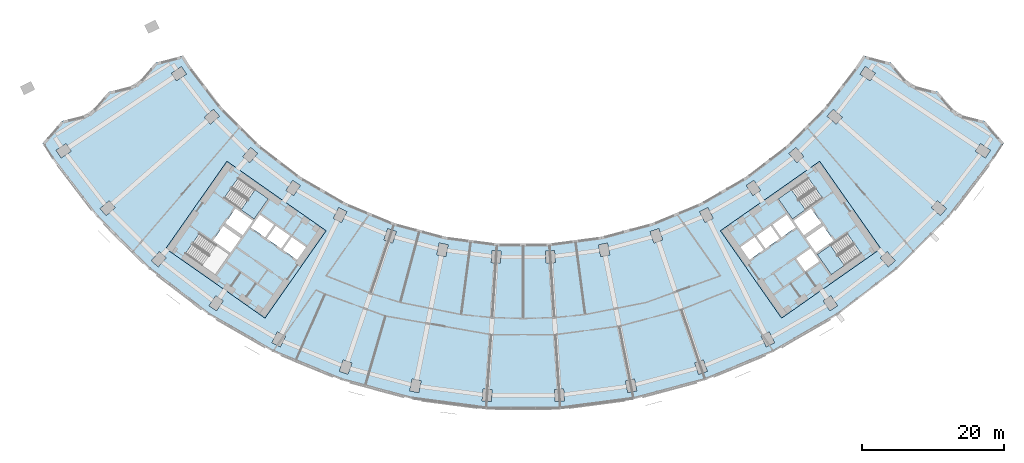
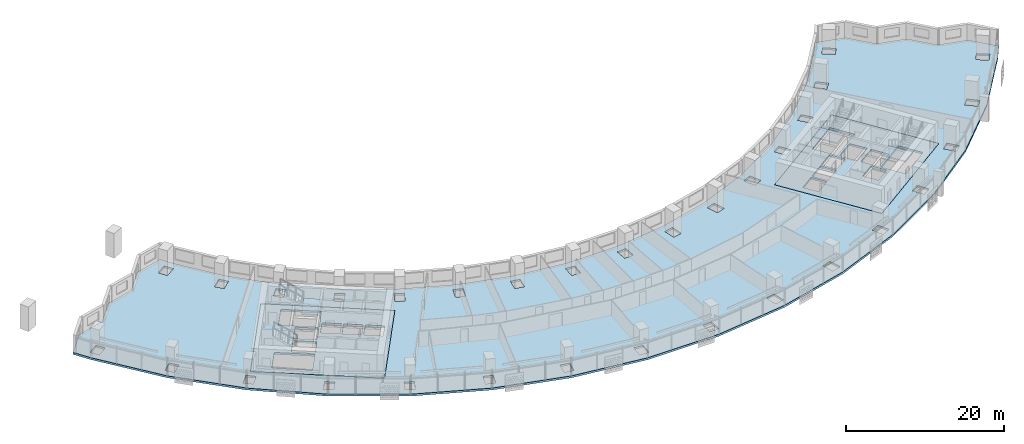
# One storey, part 2 of 31: 6 slabs, 3 elements without a shape of their own.
"""IFC4 building model written with IfcOpenShell, lengths in metres."""

from ifc_helpers import new_model, si_unit, direction, frame, origin, place, context, subcontext, project, spatial, polyline, outline, extrude, material, layer, layer_set, type_object, element, aggregate, save


model = new_model("IFC4")

# Units and contexts
model_context = context("Model", 3, precision=1e-05, world=origin(), true_north=direction((0.0, 1.0)))
body_context = subcontext(model_context, "Body", "Model", "MODEL_VIEW")
ifc_project = project(units=[si_unit("LENGTHUNIT", "METRE"), si_unit("AREAUNIT", "SQUARE_METRE"), si_unit("VOLUMEUNIT", "CUBIC_METRE"), si_unit("PLANEANGLEUNIT", "RADIAN"), si_unit("MASSUNIT", "GRAM", prefix="KILO")], contexts=[model_context])

# Site, building, storey
site_placement = place(None, origin())
site = spatial("IfcSite", under=ifc_project, at=site_placement, CompositionType="ELEMENT")
building_placement = place(site_placement, origin())
building = spatial("IfcBuilding", under=site, at=building_placement, Name="Qamariyya Broadcast Tower", CompositionType="ELEMENT")
storey_placement = place(building_placement, frame((0.0, 0.0, 59.5)))
storey = spatial("IfcBuildingStorey", under=building, at=storey_placement, Name="L11", CompositionType="ELEMENT", Elevation=59.5)

# Slabs
ifc_material_1 = material(Name="Concrete C40/50", Category="concrete")
ifc_layer_1 = layer(ifc_material_1, 0.300048828125)
ifc_layer_set_1 = layer_set([ifc_layer_1], Name="Core floor slab 300 mm Concrete C40/50")
slab_type_1 = type_object("IfcSlabType", Name="Core floor slab 300 mm Concrete C40/50", PredefinedType="FLOOR", material=ifc_layer_set_1)
slab_1_placement = place(storey_placement, frame((0.0, 0.0, -0.300048828125)))
element("IfcSlab", 1, at=slab_1_placement, inside=storey, type_object=slab_type_1, Name="k-W-L11-slab", PredefinedType="FLOOR", context=body_context, shape_type="SweptSolid", body=[
    extrude(outline(polyline([(-50.286376953125, -56.95751953125), (-36.32373046875, -66.734375), (-27.719970703125, -54.447021484375), (-41.6826171875, -44.67041015625), (-50.286376953125, -56.95751953125)]), holes=[polyline([(-31.80859375, -58.542724609375), (-33.8154296875, -57.137451171875), (-32.5537109375, -55.335205078125), (-30.546630859375, -56.740478515625), (-31.80859375, -58.542724609375)]), polyline([(-34.061279296875, -56.96533203125), (-36.068115234375, -55.56005859375), (-34.806396484375, -53.758056640625), (-32.79931640625, -55.163330078125), (-34.061279296875, -56.96533203125)]), polyline([(-36.31396484375, -55.387939453125), (-38.32080078125, -53.982666015625), (-37.058837890625, -52.1806640625), (-35.052001953125, -53.5859375), (-36.31396484375, -55.387939453125)]), polyline([(-39.742431640625, -55.489990234375), (-42.199951171875, -53.769287109375), (-43.6337890625, -55.817138671875), (-41.17626953125, -57.537841796875), (-39.742431640625, -55.489990234375)]), polyline([(-39.45556640625, -55.080322265625), (-41.9130859375, -53.359619140625), (-40.47900390625, -51.311767578125), (-38.021728515625, -53.032470703125), (-39.45556640625, -55.080322265625)]), polyline([(-42.06103515625, -49.837890625), (-37.849609375, -52.78662109375), (-35.870849609375, -49.960693359375), (-40.082275390625, -47.01171875), (-42.06103515625, -49.837890625)]), polyline([(-47.538818359375, -57.66064453125), (-43.3271484375, -60.609619140625), (-41.348388671875, -57.783447265625), (-45.559814453125, -54.834716796875), (-47.538818359375, -57.66064453125)])]), origin(), (0.0, 0.0, 1.0), 0.300048828125),
])
slab_2_placement = place(storey_placement, frame((0.0, 0.0, -0.300048828125)))
element("IfcSlab", 2, at=slab_2_placement, inside=storey, type_object=slab_type_1, Name="k-E-L11-slab", PredefinedType="FLOOR", context=body_context, shape_type="SweptSolid", body=[
    extrude(outline(polyline([(36.32373046875, -66.734375), (50.286376953125, -56.95751953125), (41.6826171875, -44.67041015625), (27.719970703125, -54.447021484375), (36.32373046875, -66.734375)]), holes=[polyline([(31.80859375, -58.542724609375), (33.8154296875, -57.137451171875), (32.5537109375, -55.335205078125), (30.546630859375, -56.740478515625), (31.80859375, -58.542724609375)]), polyline([(34.061279296875, -56.96533203125), (36.068115234375, -55.56005859375), (34.806396484375, -53.758056640625), (32.79931640625, -55.163330078125), (34.061279296875, -56.96533203125)]), polyline([(36.31396484375, -55.387939453125), (38.32080078125, -53.982666015625), (37.058837890625, -52.1806640625), (35.052001953125, -53.5859375), (36.31396484375, -55.387939453125)]), polyline([(38.378662109375, -58.3369140625), (40.3857421875, -56.931640625), (41.6474609375, -58.73388671875), (39.640625, -60.13916015625), (38.378662109375, -58.3369140625)]), polyline([(39.742431640625, -55.489990234375), (42.199951171875, -53.769287109375), (43.6337890625, -55.817138671875), (41.17626953125, -57.537841796875), (39.742431640625, -55.489990234375)]), polyline([(39.45556640625, -55.080322265625), (41.9130859375, -53.359619140625), (40.47900390625, -51.311767578125), (38.021728515625, -53.032470703125), (39.45556640625, -55.080322265625)]), polyline([(40.082275390625, -47.01171875), (35.870849609375, -49.960693359375), (37.849609375, -52.78662109375), (42.06103515625, -49.837890625), (40.082275390625, -47.01171875)]), polyline([(45.559814453125, -54.834716796875), (41.348388671875, -57.783447265625), (43.3271484375, -60.609619140625), (47.538818359375, -57.66064453125), (45.559814453125, -54.834716796875)])]), origin(), (0.0, 0.0, 1.0), 0.300048828125),
])
ifc_layer_2 = layer(ifc_material_1, 0.300048828125)
ifc_layer_set_2 = layer_set([ifc_layer_2], Name="Post-tensioned floor slab 300 C40/50")
slab_type_2 = type_object("IfcSlabType", Name="Post-tensioned floor slab 300 C40/50", PredefinedType="FLOOR", material=ifc_layer_set_2)
slab_3_placement = place(storey_placement, frame((0.0, 0.0, -0.300048828125)))
element("IfcSlab", 3, at=slab_3_placement, inside=storey, type_object=slab_type_2, Name="Floor slab S4 L11", PredefinedType="FLOOR", context=body_context, shape_type="SweptSolid", body=[
    extrude(outline(polyline([(-64.9375, -39.03466796875), (-67.607421875, -42.111328125), (-66.2265625, -44.251220703125), (-59.884033203125, -52.516845703125), (-52.516845703125, -59.884033203125), (-44.251220703125, -66.2265625), (-35.228271484375, -71.43603515625), (-25.6025390625, -75.423095703125), (-15.5390625, -78.11962890625), (-5.20947265625, -79.4794921875), (5.20947265625, -79.4794921875), (15.5390625, -78.11962890625), (25.6025390625, -75.423095703125), (35.228271484375, -71.43603515625), (44.251220703125, -66.2265625), (52.516845703125, -59.884033203125), (59.884033203125, -52.516845703125), (66.2265625, -44.251220703125), (67.607421875, -42.111328125), (64.9375, -39.03466796875), (61.014892578125, -38.005126953125), (58.34423828125, -34.927978515625), (54.422607421875, -33.89892578125), (51.750732421875, -30.82080078125), (47.830078125, -29.79248046875), (46.853271484375, -31.306396484375), (42.3662109375, -37.154052734375), (37.154052734375, -42.3662109375), (31.306396484375, -46.853271484375), (24.9228515625, -50.538818359375), (18.113037109375, -53.359619140625), (10.993408203125, -55.267333984375), (3.685546875, -56.229248046875), (-3.685546875, -56.229248046875), (-10.993408203125, -55.267333984375), (-18.113037109375, -53.359619140625), (-24.9228515625, -50.538818359375), (-31.306396484375, -46.853271484375), (-37.154052734375, -42.3662109375), (-42.3662109375, -37.154052734375), (-46.853271484375, -31.306396484375), (-47.830078125, -29.79248046875), (-51.750732421875, -30.82080078125), (-54.422607421875, -33.89892578125), (-58.34423828125, -34.927978515625), (-61.014892578125, -38.005126953125), (-64.9375, -39.03466796875)]), holes=[polyline([(-5.789306640625, -78.38916015625), (-5.67822265625, -76.69287109375), (-4.380859375, -76.77783203125), (-4.4921875, -78.47412109375), (-5.789306640625, -78.38916015625)]), polyline([(-15.9716796875, -76.962890625), (-15.639892578125, -75.295654296875), (-14.364990234375, -75.54931640625), (-14.696533203125, -77.216552734375), (-15.9716796875, -76.962890625)]), polyline([(-25.880615234375, -74.2197265625), (-25.334228515625, -72.610107421875), (-24.103271484375, -73.02783203125), (-24.649658203125, -74.6376953125), (-25.880615234375, -74.2197265625)]), polyline([(-35.346923828125, -70.206787109375), (-34.594970703125, -68.68212890625), (-33.428955078125, -69.257080078125), (-34.180908203125, -70.78173828125), (-35.346923828125, -70.206787109375)]), polyline([(-44.208251953125, -64.992431640625), (-43.263916015625, -63.578857421875), (-42.182861328125, -64.301025390625), (-43.12744140625, -65.714599609375), (-44.208251953125, -64.992431640625)]), polyline([(-52.313232421875, -58.666015625), (-51.1923828125, -57.387939453125), (-50.215087890625, -58.2451171875), (-51.3359375, -59.523193359375), (-52.313232421875, -58.666015625)]), polyline([(-12.167236328125, -57.837646484375), (-11.835693359375, -56.170166015625), (-10.560791015625, -56.423828125), (-10.892333984375, -58.09130859375), (-12.167236328125, -57.837646484375)]), polyline([(-41.6826171875, -44.67041015625), (-27.719970703125, -54.447021484375), (-36.32373046875, -66.734375), (-50.286376953125, -56.95751953125), (-41.6826171875, -44.67041015625)]), polyline([(-19.066162109375, -54.144775390625), (-17.835205078125, -54.562744140625), (-18.381591796875, -56.172607421875), (-19.612548828125, -55.754638671875), (-19.066162109375, -54.144775390625)]), polyline([(-26.72216796875, -52.7177734375), (-25.970458984375, -51.193115234375), (-24.804443359375, -51.76806640625), (-25.556396484375, -53.292724609375), (-26.72216796875, -52.7177734375)]), polyline([(-59.523193359375, -51.3359375), (-58.2451171875, -50.215087890625), (-57.387939453125, -51.1923828125), (-58.666015625, -52.313232421875), (-59.523193359375, -51.3359375)]), polyline([(-33.374755859375, -48.77880859375), (-32.43017578125, -47.365234375), (-31.349365234375, -48.08740234375), (-32.293701171875, -49.5009765625), (-33.374755859375, -48.77880859375)]), polyline([(-39.4560546875, -44.005126953125), (-38.335205078125, -42.72705078125), (-37.357666015625, -43.584228515625), (-38.478759765625, -44.8623046875), (-39.4560546875, -44.005126953125)]), polyline([(-65.714599609375, -43.12744140625), (-64.301025390625, -42.182861328125), (-63.578857421875, -43.263916015625), (-64.992431640625, -44.208251953125), (-65.714599609375, -43.12744140625)]), polyline([(-44.8623046875, -38.478759765625), (-43.584228515625, -37.357666015625), (-42.72705078125, -38.335205078125), (-44.005126953125, -39.4560546875), (-44.8623046875, -38.478759765625)]), polyline([(-48.08740234375, -31.349365234375), (-47.365234375, -32.43017578125), (-48.77880859375, -33.374755859375), (-49.5009765625, -32.293701171875), (-48.08740234375, -31.349365234375)]), polyline([(4.4921875, -78.47412109375), (4.380859375, -76.77783203125), (5.67822265625, -76.69287109375), (5.789306640625, -78.38916015625), (4.4921875, -78.47412109375)]), polyline([(14.696533203125, -77.216552734375), (14.364990234375, -75.54931640625), (15.639892578125, -75.295654296875), (15.9716796875, -76.962890625), (14.696533203125, -77.216552734375)]), polyline([(24.649658203125, -74.6376953125), (24.103271484375, -73.02783203125), (25.334228515625, -72.610107421875), (25.880615234375, -74.2197265625), (24.649658203125, -74.6376953125)]), polyline([(34.180908203125, -70.78173828125), (33.428955078125, -69.257080078125), (34.594970703125, -68.68212890625), (35.346923828125, -70.206787109375), (34.180908203125, -70.78173828125)]), polyline([(43.12744140625, -65.714599609375), (42.182861328125, -64.301025390625), (43.263916015625, -63.578857421875), (44.208251953125, -64.992431640625), (43.12744140625, -65.714599609375)]), polyline([(51.3359375, -59.523193359375), (50.215087890625, -58.2451171875), (51.1923828125, -57.387939453125), (52.313232421875, -58.666015625), (51.3359375, -59.523193359375)]), polyline([(3.216796875, -59.015869140625), (3.10546875, -57.319580078125), (4.40283203125, -57.234619140625), (4.513916015625, -58.930908203125), (3.216796875, -59.015869140625)]), polyline([(-4.40283203125, -57.234619140625), (-3.10546875, -57.319580078125), (-3.216796875, -59.015869140625), (-4.513916015625, -58.930908203125), (-4.40283203125, -57.234619140625)]), polyline([(10.560791015625, -56.423828125), (11.835693359375, -56.170166015625), (12.167236328125, -57.837646484375), (10.892333984375, -58.09130859375), (10.560791015625, -56.423828125)]), polyline([(36.32373046875, -66.734375), (27.719970703125, -54.447021484375), (41.6826171875, -44.67041015625), (50.286376953125, -56.95751953125), (36.32373046875, -66.734375)]), polyline([(18.381591796875, -56.172607421875), (17.835205078125, -54.562744140625), (19.066162109375, -54.144775390625), (19.612548828125, -55.754638671875), (18.381591796875, -56.172607421875)]), polyline([(25.556396484375, -53.292724609375), (24.804443359375, -51.76806640625), (25.970458984375, -51.193115234375), (26.72216796875, -52.7177734375), (25.556396484375, -53.292724609375)]), polyline([(58.666015625, -52.313232421875), (57.387939453125, -51.1923828125), (58.2451171875, -50.215087890625), (59.523193359375, -51.3359375), (58.666015625, -52.313232421875)]), polyline([(32.293701171875, -49.5009765625), (31.349365234375, -48.08740234375), (32.43017578125, -47.365234375), (33.374755859375, -48.77880859375), (32.293701171875, -49.5009765625)]), polyline([(38.478759765625, -44.8623046875), (37.357666015625, -43.584228515625), (38.335205078125, -42.72705078125), (39.4560546875, -44.005126953125), (38.478759765625, -44.8623046875)]), polyline([(64.992431640625, -44.208251953125), (63.578857421875, -43.263916015625), (64.301025390625, -42.182861328125), (65.714599609375, -43.12744140625), (64.992431640625, -44.208251953125)]), polyline([(42.72705078125, -38.335205078125), (43.584228515625, -37.357666015625), (44.8623046875, -38.478759765625), (44.005126953125, -39.4560546875), (42.72705078125, -38.335205078125)]), polyline([(47.365234375, -32.43017578125), (48.08740234375, -31.349365234375), (49.5009765625, -32.293701171875), (48.77880859375, -33.374755859375), (47.365234375, -32.43017578125)])]), origin(), (0.0, 0.0, 1.0), 0.300048828125),
])

# Stair, slab
ifc_material_2 = material(Name="Concrete C50/60", Category="concrete")
stair_type = type_object("IfcStairType", Name="Exit stair 22 risers of 173 mm", PredefinedType="HALF_TURN_STAIR", material=ifc_material_2)
stair_1_placement = place(storey_placement, origin())
stair_1 = element("IfcStair", 4, at=stair_1_placement, inside=storey, type_object=stair_type, Name="L11 Stair W2", PredefinedType="HALF_TURN_STAIR")
ifc_layer_3 = layer(ifc_material_2, 0.199951171875)
ifc_layer_set_3 = layer_set([ifc_layer_3], Name="Stair landing")
slab_type_3 = type_object("IfcSlabType", Name="Stair landing", PredefinedType="LANDING", material=ifc_layer_set_3)
slab_4_placement = place(storey_placement, frame((0.0, 0.0, 1.699951171875)))
slab_4 = element("IfcSlab", 5, at=slab_4_placement, type_object=slab_type_3, Name="ST-W2 landing 1", PredefinedType="LANDING", context=body_context, shape_type="SweptSolid", body=[
    extrude(outline(polyline([(-39.692138671875, -51.49658203125), (-37.849609375, -52.78662109375), (-35.870849609375, -49.960693359375), (-37.71337890625, -48.67041015625), (-39.692138671875, -51.49658203125)])), origin(), (0.0, 0.0, 1.0), 0.199951171875),
])
aggregate(stair_1, [slab_4])

stair_2_placement = place(storey_placement, origin())
stair_2 = element("IfcStair", 6, at=stair_2_placement, inside=storey, type_object=stair_type, Name="L11 Stair E2", PredefinedType="HALF_TURN_STAIR")
slab_5_placement = place(storey_placement, frame((0.0, 0.0, 1.699951171875)))
slab_5 = element("IfcSlab", 7, at=slab_5_placement, type_object=slab_type_3, Name="ST-E2 landing 1", PredefinedType="LANDING", context=body_context, shape_type="SweptSolid", body=[
    extrude(outline(polyline([(37.71337890625, -48.67041015625), (35.870849609375, -49.960693359375), (37.849609375, -52.78662109375), (39.692138671875, -51.49658203125), (37.71337890625, -48.67041015625)])), origin(), (0.0, 0.0, 1.0), 0.199951171875),
])
aggregate(stair_2, [slab_5])

stair_3_placement = place(storey_placement, origin())
stair_3 = element("IfcStair", 8, at=stair_3_placement, inside=storey, type_object=stair_type, Name="L11 Stair E1", PredefinedType="HALF_TURN_STAIR")
slab_6_placement = place(storey_placement, frame((0.0, 0.0, 1.699951171875)))
slab_6 = element("IfcSlab", 9, at=slab_6_placement, type_object=slab_type_3, Name="ST-E1 landing 1", PredefinedType="LANDING", context=body_context, shape_type="SweptSolid", body=[
    extrude(outline(polyline([(43.19091796875, -56.493408203125), (41.348388671875, -57.783447265625), (43.3271484375, -60.609619140625), (45.169677734375, -59.319580078125), (43.19091796875, -56.493408203125)])), origin(), (0.0, 0.0, 1.0), 0.199951171875),
])
aggregate(stair_3, [slab_6])

save(model, "model.ifc")
